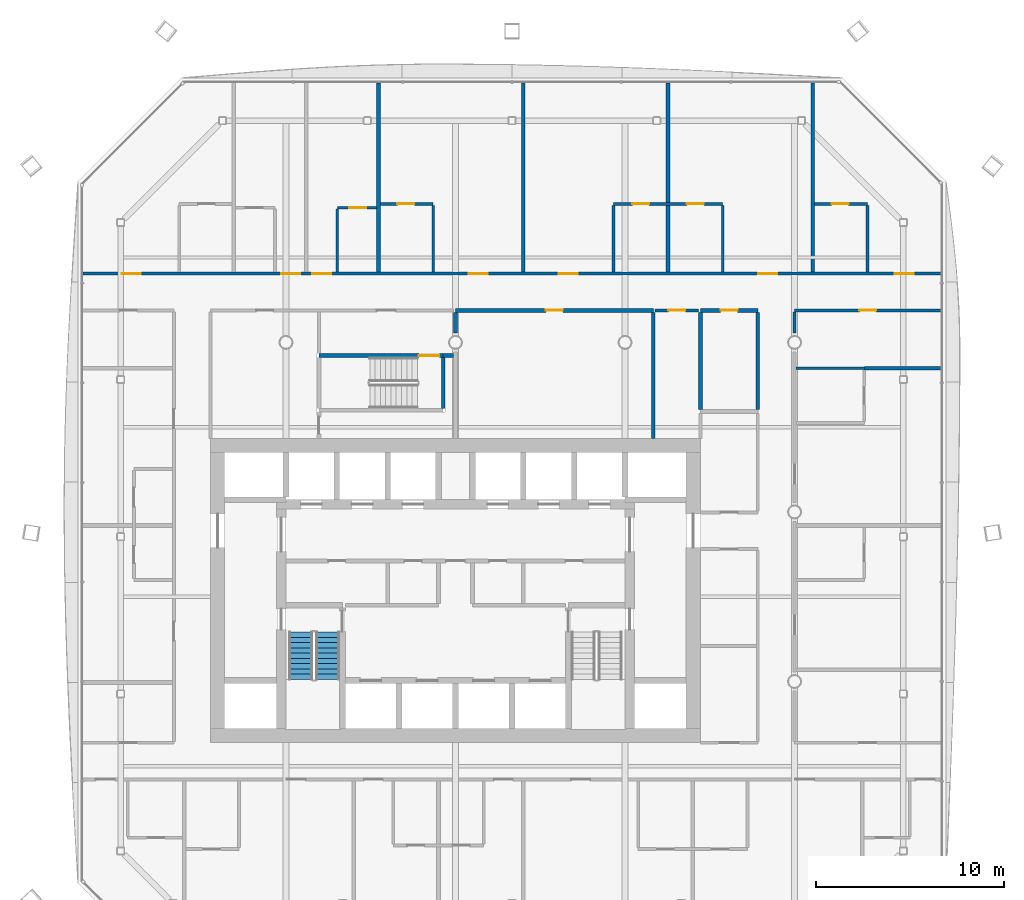
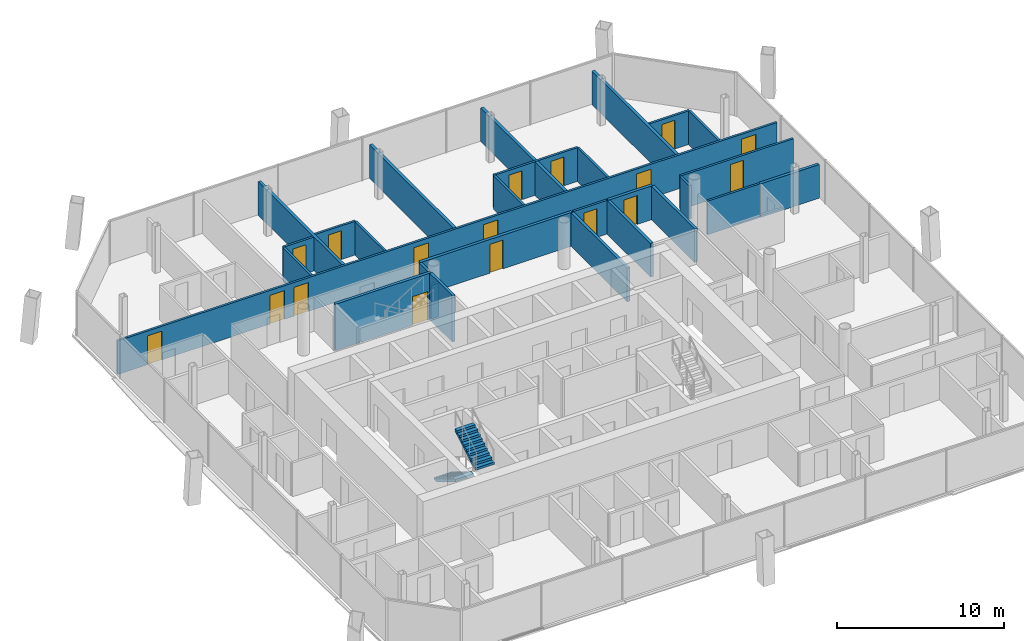
# One storey, part 15 of 21: 28 walls, 17 doors, 2 stair flights, 17 openings, 1 element without a shape of its own.
"""IFC4 building model written with IfcOpenShell, lengths in metres."""

from ifc_helpers import new_model, si_unit, direction, frame, frame_2d, origin, place, context, subcontext, project, spatial, polyline, rectangle, outline, extrude, material, layer, layer_set, type_object, element, fill, aggregate, save


model = new_model("IFC4")

# Units and contexts
model_context = context("Model", 3, precision=1e-05, world=origin(), true_north=direction((0.0, 1.0)))
body_context = subcontext(model_context, "Body", "Model", "MODEL_VIEW")
ifc_project = project(units=[si_unit("LENGTHUNIT", "METRE"), si_unit("AREAUNIT", "SQUARE_METRE"), si_unit("VOLUMEUNIT", "CUBIC_METRE"), si_unit("PLANEANGLEUNIT", "RADIAN"), si_unit("MASSUNIT", "GRAM", prefix="KILO")], contexts=[model_context])

# Site, building, storey
site_placement = place(None, origin())
site = spatial("IfcSite", under=ifc_project, at=site_placement, CompositionType="ELEMENT")
building_placement = place(site_placement, origin())
building = spatial("IfcBuilding", under=site, at=building_placement, Name="Tskaro Facet Tower", CompositionType="ELEMENT")
storey_placement = place(building_placement, frame((0.0, 0.0, 138.5)))
storey = spatial("IfcBuildingStorey", under=building, at=storey_placement, Name="L33", CompositionType="ELEMENT", Elevation=138.5)

# Wall
ifc_material_1 = material(Name="Gypsum board on steel studs", Category="steel")
ifc_layer_1 = layer(ifc_material_1, 0.14990234375, Name="Gypsum board on steel studs")
ifc_layer_set_1 = layer_set([ifc_layer_1], Name="Gypsum board on steel studs")
wall_type_1 = type_object("IfcWallType", Name="PART-CORR", PredefinedType="PARTITIONING", material=ifc_layer_set_1)
wall_1_placement = place(storey_placement, frame((18.074951171875, 7.6259765625, 0.0), z_axis=(0.0, 0.0, 1.0), x_axis=(1.0, 0.0, 0.0)))
element("IfcWall", 1, at=wall_1_placement, inside=storey, type_object=wall_type_1, Name="Corridor wall W034", PredefinedType="PARTITIONING", context=body_context, shape_type="SweptSolid", body=[
    extrude(rectangle(XDim=3.625, YDim=0.14990234375, at=frame_2d((1.8125, 0.0))), origin(), (0.0, 0.0, 1.0), 2.4599609375),
])

# Wall, opening, door
wall_2_placement = place(storey_placement, frame((12.89990234375, 10.699951171875, 0.0), z_axis=(0.0, 0.0, 1.0), x_axis=(-1.0, 0.0, 0.0)))
wall_2 = element("IfcWall", 2, at=wall_2_placement, inside=storey, type_object=wall_type_1, Name="Corridor wall W041", PredefinedType="PARTITIONING", context=body_context, shape_type="SweptSolid", body=[
    extrude(rectangle(XDim=2.2998046875, YDim=0.14990234375, at=frame_2d((1.14990234375, 0.0))), origin(), (0.0, 0.0, 1.0), 2.4599609375),
])
opening_1_placement = place(wall_2_placement, frame((0.699951171875, 0.0, 0.0)))
opening_1 = element("IfcOpeningElement", 3, at=opening_1_placement, cuts=wall_2, Name="Opening T9-D45", PredefinedType="OPENING", context=body_context, shape_type="SweptSolid", body=[
    extrude(rectangle(XDim=0.89990234375, YDim=2.10009765625, at=frame_2d((0.449951171875, 1.050048828125))), frame((0.0, 0.0849609375, 0.0), z_axis=(0.0, -1.0, 0.0), x_axis=(1.0, 0.0, 0.0)), (0.0, 0.0, 1.0), 0.169921875),
])
ifc_material_2 = material(Name="Timber", Category="wood")
door_type_1 = type_object("IfcDoorType", Name="D-ROOM", OperationType="NOTDEFINED", PredefinedType="DOOR", material=ifc_material_2)
door_1_placement = place(opening_1_placement, origin())
door_1 = element("IfcDoor", 4, at=door_1_placement, inside=storey, type_object=door_type_1, Name="Door T9-D45", OperationType="SINGLE_SWING_RIGHT", OverallHeight=2.10009765625, OverallWidth=0.89990234375, PredefinedType="DOOR", context=body_context, shape_type="SweptSolid", body=[
    extrude(rectangle(XDim=0.89990234375, YDim=2.10009765625, at=frame_2d((0.449951171875, 1.050048828125))), frame((0.0, 0.02490234375, 0.0), z_axis=(0.0, -1.0, 0.0), x_axis=(1.0, 0.0, 0.0)), (0.0, 0.0, 1.0), 0.050048828125),
])
fill(opening_1, door_1)

wall_3_placement = place(storey_placement, frame((25.77001953125, 10.699951171875, 0.0), z_axis=(0.0, 0.0, 1.0), x_axis=(-1.0, 0.0, 0.0)))
wall_3 = element("IfcWall", 5, at=wall_3_placement, inside=storey, type_object=wall_type_1, Name="Corridor wall W043", PredefinedType="PARTITIONING", context=body_context, shape_type="SweptSolid", body=[
    extrude(rectangle(XDim=7.77001953125, YDim=0.14990234375, at=frame_2d((3.885009765625, 0.0))), origin(), (0.0, 0.0, 1.0), 2.4599609375),
])
opening_2_placement = place(wall_3_placement, frame((3.43505859375, 0.0, 0.0)))
opening_2 = element("IfcOpeningElement", 6, at=opening_2_placement, cuts=wall_3, Name="Opening T9-D47", PredefinedType="OPENING", context=body_context, shape_type="SweptSolid", body=[
    extrude(rectangle(XDim=0.89990234375, YDim=2.10009765625, at=frame_2d((0.449951171875, 1.050048828125))), frame((0.0, 0.0849609375, 0.0), z_axis=(0.0, -1.0, 0.0), x_axis=(1.0, 0.0, 0.0)), (0.0, 0.0, 1.0), 0.169921875),
])
door_2_placement = place(opening_2_placement, origin())
door_2 = element("IfcDoor", 7, at=door_2_placement, inside=storey, type_object=door_type_1, Name="Door T9-D47", OperationType="SINGLE_SWING_RIGHT", OverallHeight=2.10009765625, OverallWidth=0.89990234375, PredefinedType="DOOR", context=body_context, shape_type="SweptSolid", body=[
    extrude(rectangle(XDim=0.89990234375, YDim=2.10009765625, at=frame_2d((0.449951171875, 1.050048828125))), frame((0.0, 0.02490234375, 0.0), z_axis=(0.0, -1.0, 0.0), x_axis=(1.0, 0.0, 0.0)), (0.0, 0.0, 1.0), 0.050048828125),
])
fill(opening_2, door_2)

# Wall, openings, doors
wall_4_placement = place(storey_placement, frame((-19.77001953125, 12.64990234375, 0.0), z_axis=(0.0, 0.0, 1.0), x_axis=(1.0, 0.0, 0.0)))
wall_4 = element("IfcWall", 8, at=wall_4_placement, inside=storey, type_object=wall_type_1, Name="Corridor wall W044", PredefinedType="PARTITIONING", context=body_context, shape_type="SweptSolid", body=[
    extrude(rectangle(XDim=45.5400390625, YDim=0.14990234375, at=frame_2d((22.77001953125, 0.0))), origin(), (0.0, 0.0, 1.0), 2.4599609375),
])
opening_3_placement = place(wall_4_placement, frame((2.051025390625, 0.0, 0.0)))
opening_3 = element("IfcOpeningElement", 9, at=opening_3_placement, cuts=wall_4, Name="Opening T9-D48", PredefinedType="OPENING", context=body_context, shape_type="SweptSolid", body=[
    extrude(rectangle(XDim=1.0, YDim=2.10009765625, at=frame_2d((0.5, 1.050048828125))), frame((0.0, 0.0849609375, 0.0), z_axis=(0.0, -1.0, 0.0), x_axis=(1.0, 0.0, 0.0)), (0.0, 0.0, 1.0), 0.169921875),
])
opening_4_placement = place(wall_4_placement, frame((10.51806640625, 0.0, 0.0)))
opening_4 = element("IfcOpeningElement", 10, at=opening_4_placement, cuts=wall_4, Name="Opening T9-D49", PredefinedType="OPENING", context=body_context, shape_type="SweptSolid", body=[
    extrude(rectangle(XDim=1.0, YDim=2.10009765625, at=frame_2d((0.5, 1.050048828125))), frame((0.0, 0.0849609375, 0.0), z_axis=(0.0, -1.0, 0.0), x_axis=(1.0, 0.0, 0.0)), (0.0, 0.0, 1.0), 0.169921875),
])
opening_5_placement = place(wall_4_placement, frame((12.169921875, 0.0, 0.0)))
opening_5 = element("IfcOpeningElement", 11, at=opening_5_placement, cuts=wall_4, Name="Opening T9-D50", PredefinedType="OPENING", context=body_context, shape_type="SweptSolid", body=[
    extrude(rectangle(XDim=1.0, YDim=2.10009765625, at=frame_2d((0.5, 1.050048828125))), frame((0.0, 0.0849609375, 0.0), z_axis=(0.0, -1.0, 0.0), x_axis=(1.0, 0.0, 0.0)), (0.0, 0.0, 1.0), 0.169921875),
])
opening_6_placement = place(wall_4_placement, frame((20.47802734375, 0.0, 0.0)))
opening_6 = element("IfcOpeningElement", 12, at=opening_6_placement, cuts=wall_4, Name="Opening T9-D51", PredefinedType="OPENING", context=body_context, shape_type="SweptSolid", body=[
    extrude(rectangle(XDim=1.0, YDim=2.10009765625, at=frame_2d((0.5, 1.050048828125))), frame((0.0, 0.0849609375, 0.0), z_axis=(0.0, -1.0, 0.0), x_axis=(1.0, 0.0, 0.0)), (0.0, 0.0, 1.0), 0.169921875),
])
opening_7_placement = place(wall_4_placement, frame((25.261962890625, 0.0, 0.0)))
opening_7 = element("IfcOpeningElement", 13, at=opening_7_placement, cuts=wall_4, Name="Opening T9-D52", PredefinedType="OPENING", context=body_context, shape_type="SweptSolid", body=[
    extrude(rectangle(XDim=1.0, YDim=2.10009765625, at=frame_2d((0.5, 1.050048828125))), frame((0.0, 0.0849609375, 0.0), z_axis=(0.0, -1.0, 0.0), x_axis=(1.0, 0.0, 0.0)), (0.0, 0.0, 1.0), 0.169921875),
])
opening_8_placement = place(wall_4_placement, frame((35.845947265625, 0.0, 0.0)))
opening_8 = element("IfcOpeningElement", 14, at=opening_8_placement, cuts=wall_4, Name="Opening T9-D53", PredefinedType="OPENING", context=body_context, shape_type="SweptSolid", body=[
    extrude(rectangle(XDim=1.0, YDim=2.10009765625, at=frame_2d((0.5, 1.050048828125))), frame((0.0, 0.0849609375, 0.0), z_axis=(0.0, -1.0, 0.0), x_axis=(1.0, 0.0, 0.0)), (0.0, 0.0, 1.0), 0.169921875),
])
opening_9_placement = place(wall_4_placement, frame((43.089111328125, 0.0, 0.0)))
opening_9 = element("IfcOpeningElement", 15, at=opening_9_placement, cuts=wall_4, Name="Opening T9-D54", PredefinedType="OPENING", context=body_context, shape_type="SweptSolid", body=[
    extrude(rectangle(XDim=1.0, YDim=2.10009765625, at=frame_2d((0.5, 1.050048828125))), frame((0.0, 0.0849609375, 0.0), z_axis=(0.0, -1.0, 0.0), x_axis=(1.0, 0.0, 0.0)), (0.0, 0.0, 1.0), 0.169921875),
])
door_type_2 = type_object("IfcDoorType", Name="D-ENTRY", OperationType="NOTDEFINED", PredefinedType="DOOR", material=ifc_material_2)
door_3_placement = place(opening_3_placement, origin())
door_3 = element("IfcDoor", 16, at=door_3_placement, inside=storey, type_object=door_type_2, Name="Door T9-D48", OperationType="SINGLE_SWING_RIGHT", OverallHeight=2.10009765625, OverallWidth=1.0, PredefinedType="DOOR", context=body_context, shape_type="SweptSolid", body=[
    extrude(rectangle(XDim=1.0, YDim=2.10009765625, at=frame_2d((0.5, 1.050048828125))), frame((0.0, 0.02490234375, 0.0), z_axis=(0.0, -1.0, 0.0), x_axis=(1.0, 0.0, 0.0)), (0.0, 0.0, 1.0), 0.050048828125),
])
fill(opening_3, door_3)
door_4_placement = place(opening_4_placement, origin())
door_4 = element("IfcDoor", 17, at=door_4_placement, inside=storey, type_object=door_type_2, Name="Door T9-D49", OperationType="SINGLE_SWING_LEFT", OverallHeight=2.10009765625, OverallWidth=1.0, PredefinedType="DOOR", context=body_context, shape_type="SweptSolid", body=[
    extrude(rectangle(XDim=1.0, YDim=2.10009765625, at=frame_2d((0.5, 1.050048828125))), frame((0.0, 0.02490234375, 0.0), z_axis=(0.0, -1.0, 0.0), x_axis=(1.0, 0.0, 0.0)), (0.0, 0.0, 1.0), 0.050048828125),
])
fill(opening_4, door_4)
door_5_placement = place(opening_5_placement, origin())
door_5 = element("IfcDoor", 18, at=door_5_placement, inside=storey, type_object=door_type_2, Name="Door T9-D50", OperationType="SINGLE_SWING_LEFT", OverallHeight=2.10009765625, OverallWidth=1.0, PredefinedType="DOOR", context=body_context, shape_type="SweptSolid", body=[
    extrude(rectangle(XDim=1.0, YDim=2.10009765625, at=frame_2d((0.5, 1.050048828125))), frame((0.0, 0.02490234375, 0.0), z_axis=(0.0, -1.0, 0.0), x_axis=(1.0, 0.0, 0.0)), (0.0, 0.0, 1.0), 0.050048828125),
])
fill(opening_5, door_5)
door_6_placement = place(opening_6_placement, origin())
door_6 = element("IfcDoor", 19, at=door_6_placement, inside=storey, type_object=door_type_2, Name="Door T9-D51", OperationType="SINGLE_SWING_RIGHT", OverallHeight=2.10009765625, OverallWidth=1.0, PredefinedType="DOOR", context=body_context, shape_type="SweptSolid", body=[
    extrude(rectangle(XDim=1.0, YDim=2.10009765625, at=frame_2d((0.5, 1.050048828125))), frame((0.0, 0.02490234375, 0.0), z_axis=(0.0, -1.0, 0.0), x_axis=(1.0, 0.0, 0.0)), (0.0, 0.0, 1.0), 0.050048828125),
])
fill(opening_6, door_6)
door_7_placement = place(opening_7_placement, origin())
door_7 = element("IfcDoor", 20, at=door_7_placement, inside=storey, type_object=door_type_2, Name="Door T9-D52", OperationType="SINGLE_SWING_RIGHT", OverallHeight=2.10009765625, OverallWidth=1.0, PredefinedType="DOOR", context=body_context, shape_type="SweptSolid", body=[
    extrude(rectangle(XDim=1.0, YDim=2.10009765625, at=frame_2d((0.5, 1.050048828125))), frame((0.0, 0.02490234375, 0.0), z_axis=(0.0, -1.0, 0.0), x_axis=(1.0, 0.0, 0.0)), (0.0, 0.0, 1.0), 0.050048828125),
])
fill(opening_7, door_7)
door_8_placement = place(opening_8_placement, origin())
door_8 = element("IfcDoor", 21, at=door_8_placement, inside=storey, type_object=door_type_2, Name="Door T9-D53", OperationType="SINGLE_SWING_LEFT", OverallHeight=2.10009765625, OverallWidth=1.0, PredefinedType="DOOR", context=body_context, shape_type="SweptSolid", body=[
    extrude(rectangle(XDim=1.0, YDim=2.10009765625, at=frame_2d((0.5, 1.050048828125))), frame((0.0, 0.02490234375, 0.0), z_axis=(0.0, -1.0, 0.0), x_axis=(1.0, 0.0, 0.0)), (0.0, 0.0, 1.0), 0.050048828125),
])
fill(opening_8, door_8)
door_9_placement = place(opening_9_placement, origin())
door_9 = element("IfcDoor", 22, at=door_9_placement, inside=storey, type_object=door_type_2, Name="Door T9-D54", OperationType="SINGLE_SWING_RIGHT", OverallHeight=2.10009765625, OverallWidth=1.0, PredefinedType="DOOR", context=body_context, shape_type="SweptSolid", body=[
    extrude(rectangle(XDim=1.0, YDim=2.10009765625, at=frame_2d((0.5, 1.050048828125))), frame((0.0, 0.02490234375, 0.0), z_axis=(0.0, -1.0, 0.0), x_axis=(1.0, 0.0, 0.0)), (0.0, 0.0, 1.0), 0.050048828125),
])
fill(opening_9, door_9)

# Wall, opening, door
wall_5_placement = place(storey_placement, frame((-4.18408203125, 16.14990234375, 0.0), z_axis=(0.0, 0.0, 1.0), x_axis=(-1.0, 0.0, 0.0)))
wall_5 = element("IfcWall", 23, at=wall_5_placement, inside=storey, type_object=wall_type_1, Name="Corridor wall W046", PredefinedType="PARTITIONING", context=body_context, shape_type="SweptSolid", body=[
    extrude(rectangle(XDim=2.08984375, YDim=0.14990234375, at=frame_2d((1.044921875, 0.0))), origin(), (0.0, 0.0, 1.0), 2.4599609375),
])
opening_10_placement = place(wall_5_placement, frame((0.544921875, 0.0, 0.0)))
opening_10 = element("IfcOpeningElement", 24, at=opening_10_placement, cuts=wall_5, Name="Opening T9-D56", PredefinedType="OPENING", context=body_context, shape_type="SweptSolid", body=[
    extrude(rectangle(XDim=0.89990234375, YDim=2.10009765625, at=frame_2d((0.449951171875, 1.050048828125))), frame((0.0, 0.0849609375, 0.0), z_axis=(0.0, -1.0, 0.0), x_axis=(1.0, 0.0, 0.0)), (0.0, 0.0, 1.0), 0.169921875),
])
door_10_placement = place(opening_10_placement, origin())
door_10 = element("IfcDoor", 25, at=door_10_placement, inside=storey, type_object=door_type_1, Name="Door T9-D56", OperationType="SINGLE_SWING_RIGHT", OverallHeight=2.10009765625, OverallWidth=0.89990234375, PredefinedType="DOOR", context=body_context, shape_type="SweptSolid", body=[
    extrude(rectangle(XDim=0.89990234375, YDim=2.10009765625, at=frame_2d((0.449951171875, 1.050048828125))), frame((0.0, 0.02490234375, 0.0), z_axis=(0.0, -1.0, 0.0), x_axis=(1.0, 0.0, 0.0)), (0.0, 0.0, 1.0), 0.050048828125),
])
fill(opening_10, door_10)

wall_6_placement = place(storey_placement, frame((-1.18408203125, 16.35009765625, 0.0), z_axis=(0.0, 0.0, 1.0), x_axis=(-1.0, 0.0, 0.0)))
wall_6 = element("IfcWall", 26, at=wall_6_placement, inside=storey, type_object=wall_type_1, Name="Corridor wall W048", PredefinedType="PARTITIONING", context=body_context, shape_type="SweptSolid", body=[
    extrude(rectangle(XDim=2.7998046875, YDim=0.14990234375, at=frame_2d((1.39990234375, 0.0))), origin(), (0.0, 0.0, 1.0), 2.4599609375),
])
opening_11_placement = place(wall_6_placement, frame((1.0, 0.0, 0.0)))
opening_11 = element("IfcOpeningElement", 27, at=opening_11_placement, cuts=wall_6, Name="Opening T9-D58", PredefinedType="OPENING", context=body_context, shape_type="SweptSolid", body=[
    extrude(rectangle(XDim=0.89990234375, YDim=2.10009765625, at=frame_2d((0.449951171875, 1.050048828125))), frame((0.0, 0.0849609375, 0.0), z_axis=(0.0, -1.0, 0.0), x_axis=(1.0, 0.0, 0.0)), (0.0, 0.0, 1.0), 0.169921875),
])
door_11_placement = place(opening_11_placement, origin())
door_11 = element("IfcDoor", 28, at=door_11_placement, inside=storey, type_object=door_type_1, Name="Door T9-D58", OperationType="SINGLE_SWING_RIGHT", OverallHeight=2.10009765625, OverallWidth=0.89990234375, PredefinedType="DOOR", context=body_context, shape_type="SweptSolid", body=[
    extrude(rectangle(XDim=0.89990234375, YDim=2.10009765625, at=frame_2d((0.449951171875, 1.050048828125))), frame((0.0, 0.02490234375, 0.0), z_axis=(0.0, -1.0, 0.0), x_axis=(1.0, 0.0, 0.0)), (0.0, 0.0, 1.0), 0.050048828125),
])
fill(opening_11, door_11)

# Wall, openings, doors
wall_7_placement = place(storey_placement, frame((14.18408203125, 16.35009765625, 0.0), z_axis=(0.0, 0.0, 1.0), x_axis=(-1.0, 0.0, 0.0)))
wall_7 = element("IfcWall", 29, at=wall_7_placement, inside=storey, type_object=wall_type_1, Name="Corridor wall W049", PredefinedType="PARTITIONING", context=body_context, shape_type="SweptSolid", body=[
    extrude(rectangle(XDim=5.800048828125, YDim=0.14990234375, at=frame_2d((2.89990234375, 0.0))), origin(), (0.0, 0.0, 1.0), 2.4599609375),
])
opening_12_placement = place(wall_7_placement, frame((3.89990234375, 0.0, 0.0)))
opening_12 = element("IfcOpeningElement", 30, at=opening_12_placement, cuts=wall_7, Name="Opening T9-D59", PredefinedType="OPENING", context=body_context, shape_type="SweptSolid", body=[
    extrude(rectangle(XDim=0.89990234375, YDim=2.10009765625, at=frame_2d((0.449951171875, 1.050048828125))), frame((0.0, 0.0849609375, 0.0), z_axis=(0.0, -1.0, 0.0), x_axis=(1.0, 0.0, 0.0)), (0.0, 0.0, 1.0), 0.169921875),
])
opening_13_placement = place(wall_7_placement, frame((1.0, 0.0, 0.0)))
opening_13 = element("IfcOpeningElement", 31, at=opening_13_placement, cuts=wall_7, Name="Opening T9-D60", PredefinedType="OPENING", context=body_context, shape_type="SweptSolid", body=[
    extrude(rectangle(XDim=0.89990234375, YDim=2.10009765625, at=frame_2d((0.449951171875, 1.050048828125))), frame((0.0, 0.0849609375, 0.0), z_axis=(0.0, -1.0, 0.0), x_axis=(1.0, 0.0, 0.0)), (0.0, 0.0, 1.0), 0.169921875),
])
door_12_placement = place(opening_12_placement, origin())
door_12 = element("IfcDoor", 32, at=door_12_placement, inside=storey, type_object=door_type_1, Name="Door T9-D59", OperationType="SINGLE_SWING_RIGHT", OverallHeight=2.10009765625, OverallWidth=0.89990234375, PredefinedType="DOOR", context=body_context, shape_type="SweptSolid", body=[
    extrude(rectangle(XDim=0.89990234375, YDim=2.10009765625, at=frame_2d((0.449951171875, 1.050048828125))), frame((0.0, 0.02490234375, 0.0), z_axis=(0.0, -1.0, 0.0), x_axis=(1.0, 0.0, 0.0)), (0.0, 0.0, 1.0), 0.050048828125),
])
fill(opening_12, door_12)
door_13_placement = place(opening_13_placement, origin())
door_13 = element("IfcDoor", 33, at=door_13_placement, inside=storey, type_object=door_type_1, Name="Door T9-D60", OperationType="SINGLE_SWING_RIGHT", OverallHeight=2.10009765625, OverallWidth=0.89990234375, PredefinedType="DOOR", context=body_context, shape_type="SweptSolid", body=[
    extrude(rectangle(XDim=0.89990234375, YDim=2.10009765625, at=frame_2d((0.449951171875, 1.050048828125))), frame((0.0, 0.02490234375, 0.0), z_axis=(0.0, -1.0, 0.0), x_axis=(1.0, 0.0, 0.0)), (0.0, 0.0, 1.0), 0.050048828125),
])
fill(opening_13, door_13)

# Wall, opening, door
wall_8_placement = place(storey_placement, frame((21.867919921875, 16.35009765625, 0.0), z_axis=(0.0, 0.0, 1.0), x_axis=(-1.0, 0.0, 0.0)))
wall_8 = element("IfcWall", 34, at=wall_8_placement, inside=storey, type_object=wall_type_1, Name="Corridor wall W050", PredefinedType="PARTITIONING", context=body_context, shape_type="SweptSolid", body=[
    extrude(rectangle(XDim=2.7998046875, YDim=0.14990234375, at=frame_2d((1.39990234375, 0.0))), origin(), (0.0, 0.0, 1.0), 2.4599609375),
])
opening_14_placement = place(wall_8_placement, frame((1.0, 0.0, 0.0)))
opening_14 = element("IfcOpeningElement", 35, at=opening_14_placement, cuts=wall_8, Name="Opening T9-D61", PredefinedType="OPENING", context=body_context, shape_type="SweptSolid", body=[
    extrude(rectangle(XDim=0.89990234375, YDim=2.10009765625, at=frame_2d((0.449951171875, 1.050048828125))), frame((0.0, 0.0849609375, 0.0), z_axis=(0.0, -1.0, 0.0), x_axis=(1.0, 0.0, 0.0)), (0.0, 0.0, 1.0), 0.169921875),
])
door_14_placement = place(opening_14_placement, origin())
door_14 = element("IfcDoor", 36, at=door_14_placement, inside=storey, type_object=door_type_1, Name="Door T9-D61", OperationType="SINGLE_SWING_RIGHT", OverallHeight=2.10009765625, OverallWidth=0.89990234375, PredefinedType="DOOR", context=body_context, shape_type="SweptSolid", body=[
    extrude(rectangle(XDim=0.89990234375, YDim=2.10009765625, at=frame_2d((0.449951171875, 1.050048828125))), frame((0.0, 0.02490234375, 0.0), z_axis=(0.0, -1.0, 0.0), x_axis=(1.0, 0.0, 0.0)), (0.0, 0.0, 1.0), 0.050048828125),
])
fill(opening_14, door_14)

# Walls
wall_9_placement = place(storey_placement, frame((-6.27392578125, 12.72509765625, 0.0), z_axis=(0.0, 0.0, 1.0), x_axis=(0.0, 1.0, 0.0)))
element("IfcWall", 37, at=wall_9_placement, inside=storey, type_object=wall_type_1, Name="Corridor wall W066", PredefinedType="PARTITIONING", context=body_context, shape_type="SweptSolid", body=[
    extrude(rectangle(XDim=3.349853515625, YDim=0.14990234375, at=frame_2d((1.6748046875, 0.0))), origin(), (0.0, 0.0, 1.0), 2.4599609375),
])
for number, where, z_axis, x_axis, name in (
    (38, (-1.18408203125, 12.72509765625, 0.0), (0.0, 0.0, 1.0), (0.0, 1.0, 0.0), "Corridor wall W074"),
    (39, (8.384033203125, 12.72509765625, 0.0), (0.0, 0.0, 1.0), (0.0, 1.0, 0.0), "Corridor wall W092"),
    (40, (14.18408203125, 12.72509765625, 0.0), (0.0, 0.0, 1.0), (0.0, 1.0, 0.0), "Corridor wall W100"),
):
    element("IfcWall", number, at=place(storey_placement, frame(where, z_axis=z_axis, x_axis=x_axis)), inside=storey, type_object=wall_type_1, Name=name, PredefinedType="PARTITIONING", context=body_context, shape_type="SweptSolid", body=[
        extrude(rectangle(XDim=3.5498046875, YDim=0.14990234375, at=frame_2d((1.77490234375, 0.0))), origin(), (0.0, 0.0, 1.0), 2.4599609375),
    ])
wall_10_placement = place(storey_placement, frame((18.0, 9.5, 0.0), z_axis=(0.0, 0.0, 1.0), x_axis=(0.0, 1.0, 0.0)))
element("IfcWall", 41, at=wall_10_placement, inside=storey, type_object=wall_type_1, Name="Corridor wall W108", PredefinedType="PARTITIONING", context=body_context, shape_type="SweptSolid", body=[
    extrude(rectangle(XDim=1.125, YDim=0.14990234375, at=frame_2d((0.5625, 0.0))), origin(), (0.0, 0.0, 1.0), 2.4599609375),
])
wall_11_placement = place(storey_placement, frame((21.867919921875, 12.72509765625, 0.0), z_axis=(0.0, 0.0, 1.0), x_axis=(0.0, 1.0, 0.0)))
element("IfcWall", 42, at=wall_11_placement, inside=storey, type_object=wall_type_1, Name="Corridor wall W113", PredefinedType="PARTITIONING", context=body_context, shape_type="SweptSolid", body=[
    extrude(rectangle(XDim=3.5498046875, YDim=0.14990234375, at=frame_2d((1.77490234375, 0.0))), origin(), (0.0, 0.0, 1.0), 2.4599609375),
])
ifc_layer_2 = layer(ifc_material_1, 0.199951171875, Name="Gypsum board on steel studs")
ifc_layer_set_2 = layer_set([ifc_layer_2], Name="Gypsum board on steel studs")
wall_type_2 = type_object("IfcWallType", Name="PART-DEMISING", PredefinedType="PARTITIONING", material=ifc_layer_set_2)
wall_12_placement = place(storey_placement, frame((21.699951171875, 7.6259765625, 0.0), z_axis=(0.0, 0.0, 1.0), x_axis=(1.0, 0.0, 0.0)))
element("IfcWall", 43, at=wall_12_placement, inside=storey, type_object=wall_type_2, Name="Guest room wall W035", PredefinedType="PARTITIONING", context=body_context, shape_type="SweptSolid", body=[
    extrude(rectangle(XDim=4.070068359375, YDim=0.199951171875, at=frame_2d((2.03515625, 0.0))), origin(), (0.0, 0.0, 1.0), 2.4599609375),
])
for number, where, z_axis, x_axis, name in (
    (44, (-4.083984375, 12.72509765625, 0.0), (0.0, 0.0, 1.0), (0.0, 1.0, 0.0), "Guest room wall W069"),
    (45, (3.60009765625, 12.72509765625, 0.0), (0.0, 0.0, 1.0), (0.0, 1.0, 0.0), "Guest room wall W089"),
    (46, (11.283935546875, 12.72509765625, 0.0), (0.0, 0.0, 1.0), (0.0, 1.0, 0.0), "Guest room wall W096"),
    (47, (18.968017578125, 12.72509765625, 0.0), (0.0, 0.0, 1.0), (0.0, 1.0, 0.0), "Guest room wall W109"),
):
    element("IfcWall", number, at=place(storey_placement, frame(where, z_axis=z_axis, x_axis=x_axis)), inside=storey, type_object=wall_type_2, Name=name, PredefinedType="PARTITIONING", context=body_context, shape_type="SweptSolid", body=[
        extrude(rectangle(XDim=10.044921875, YDim=0.199951171875, at=frame_2d((5.0224609375, 0.0))), origin(), (0.0, 0.0, 1.0), 2.4599609375),
    ])

# Wall, opening, door
ifc_material_3 = material(Name="Concrete C60/75", Category="concrete")
ifc_layer_3 = layer(ifc_material_3, 0.199951171875, Name="Concrete C60/75")
ifc_layer_set_3 = layer_set([ifc_layer_3], Name="Concrete C60/75")
wall_type_3 = type_object("IfcWallType", Name="STAIR-WALL", PredefinedType="SHEAR", material=ifc_layer_set_3)
wall_13_placement = place(storey_placement, frame((-0.64990234375, 8.300048828125, 0.0), z_axis=(0.0, 0.0, 1.0), x_axis=(-1.0, 0.0, 0.0)))
wall_13 = element("IfcWall", 48, at=wall_13_placement, inside=storey, type_object=wall_type_3, Name="Stair wall W036", PredefinedType="SHEAR", context=body_context, shape_type="SweptSolid", body=[
    extrude(rectangle(XDim=6.60009765625, YDim=0.199951171875, at=frame_2d((3.300048828125, 0.0))), origin(), (0.0, 0.0, 1.0), 3.39990234375),
])
opening_15_placement = place(wall_13_placement, frame((0.199951171875, 0.0, 0.0)))
opening_15 = element("IfcOpeningElement", 49, at=opening_15_placement, cuts=wall_13, Name="Opening ST-3-D1", PredefinedType="OPENING", context=body_context, shape_type="SweptSolid", body=[
    extrude(rectangle(XDim=1.10009765625, YDim=2.10009765625, at=frame_2d((0.550048828125, 1.050048828125))), frame((0.0, 0.10986328125, 0.0), z_axis=(0.0, -1.0, 0.0), x_axis=(1.0, 0.0, 0.0)), (0.0, 0.0, 1.0), 0.219970703125),
])
ifc_material_4 = material(Name="Steel", Category="steel")
door_type_3 = type_object("IfcDoorType", Name="D-STAIR", OperationType="NOTDEFINED", PredefinedType="DOOR", material=ifc_material_4)
door_15_placement = place(opening_15_placement, origin())
door_15 = element("IfcDoor", 50, at=door_15_placement, inside=storey, type_object=door_type_3, Name="Stair door 3", OperationType="SINGLE_SWING_RIGHT", OverallHeight=2.10009765625, OverallWidth=1.10009765625, PredefinedType="DOOR", context=body_context, shape_type="SweptSolid", body=[
    extrude(rectangle(XDim=1.10009765625, YDim=2.10009765625, at=frame_2d((0.550048828125, 1.050048828125))), frame((0.0, 0.02490234375, 0.0), z_axis=(0.0, -1.0, 0.0), x_axis=(1.0, 0.0, 0.0)), (0.0, 0.0, 1.0), 0.050048828125),
])
fill(opening_15, door_15)

# Walls
wall_14_placement = place(storey_placement, frame((-0.64990234375, 5.5, 0.0), z_axis=(0.0, 0.0, 1.0), x_axis=(0.0, 1.0, 0.0)))
element("IfcWall", 51, at=wall_14_placement, inside=storey, type_object=wall_type_3, Name="Stair wall W078", PredefinedType="SHEAR", context=body_context, shape_type="SweptSolid", body=[
    extrude(rectangle(XDim=2.699951171875, YDim=0.199951171875, at=frame_2d((1.35009765625, 0.0))), origin(), (0.0, 0.0, 1.0), 3.39990234375),
])
ifc_material_5 = material(Name="Concrete C20/25", Category="concrete")
ifc_layer_4 = layer(ifc_material_5, 0.199951171875, Name="Concrete C20/25")
ifc_layer_set_4 = layer_set([ifc_layer_4], Name="Concrete C20/25")
wall_type_4 = type_object("IfcWallType", Name="WALL-RISER", PredefinedType="SOLIDWALL", material=ifc_layer_set_4)
wall_15_placement = place(storey_placement, frame((-0.64990234375, 8.300048828125, 0.0), z_axis=(0.0, 0.0, 1.0), x_axis=(1.0, 0.0, 0.0)))
element("IfcWall", 52, at=wall_15_placement, inside=storey, type_object=wall_type_4, Name="Riser room wall W037", PredefinedType="SOLIDWALL", context=body_context, shape_type="SweptSolid", body=[
    extrude(rectangle(XDim=0.5498046875, YDim=0.199951171875, at=frame_2d((0.27490234375, 0.0))), origin(), (0.0, 0.0, 1.0), 2.4599609375),
])

# Wall, opening, door
wall_16_placement = place(storey_placement, frame((10.5, 10.699951171875, 0.0), z_axis=(0.0, 0.0, 1.0), x_axis=(-1.0, 0.0, 0.0)))
wall_16 = element("IfcWall", 53, at=wall_16_placement, inside=storey, type_object=wall_type_4, Name="Riser room wall W040", PredefinedType="SOLIDWALL", context=body_context, shape_type="SweptSolid", body=[
    extrude(rectangle(XDim=10.5, YDim=0.199951171875, at=frame_2d((5.25, 0.0))), origin(), (0.0, 0.0, 1.0), 2.4599609375),
])
opening_16_placement = place(wall_16_placement, frame((4.800048828125, 0.0, 0.0)))
opening_16 = element("IfcOpeningElement", 54, at=opening_16_placement, cuts=wall_16, Name="Opening T9-D44", PredefinedType="OPENING", context=body_context, shape_type="SweptSolid", body=[
    extrude(rectangle(XDim=0.89990234375, YDim=2.10009765625, at=frame_2d((0.449951171875, 1.050048828125))), frame((0.0, 0.10986328125, 0.0), z_axis=(0.0, -1.0, 0.0), x_axis=(1.0, 0.0, 0.0)), (0.0, 0.0, 1.0), 0.219970703125),
])
door_type_4 = type_object("IfcDoorType", Name="D-RISER", OperationType="NOTDEFINED", PredefinedType="DOOR", material=ifc_material_4)
door_16_placement = place(opening_16_placement, origin())
door_16 = element("IfcDoor", 55, at=door_16_placement, inside=storey, type_object=door_type_4, Name="Door T9-D44", OperationType="SINGLE_SWING_RIGHT", OverallHeight=2.10009765625, OverallWidth=0.89990234375, PredefinedType="DOOR", context=body_context, shape_type="SweptSolid", body=[
    extrude(rectangle(XDim=0.89990234375, YDim=2.10009765625, at=frame_2d((0.449951171875, 1.050048828125))), frame((0.0, 0.02490234375, 0.0), z_axis=(0.0, -1.0, 0.0), x_axis=(1.0, 0.0, 0.0)), (0.0, 0.0, 1.0), 0.050048828125),
])
fill(opening_16, door_16)

wall_17_placement = place(storey_placement, frame((16.050048828125, 10.699951171875, 0.0), z_axis=(0.0, 0.0, 1.0), x_axis=(-1.0, 0.0, 0.0)))
wall_17 = element("IfcWall", 56, at=wall_17_placement, inside=storey, type_object=wall_type_4, Name="Riser room wall W042", PredefinedType="SOLIDWALL", context=body_context, shape_type="SweptSolid", body=[
    extrude(rectangle(XDim=3.050048828125, YDim=0.199951171875, at=frame_2d((1.52490234375, 0.0))), origin(), (0.0, 0.0, 1.0), 2.4599609375),
])
opening_17_placement = place(wall_17_placement, frame((1.074951171875, 0.0, 0.0)))
opening_17 = element("IfcOpeningElement", 57, at=opening_17_placement, cuts=wall_17, Name="Opening T9-D46", PredefinedType="OPENING", context=body_context, shape_type="SweptSolid", body=[
    extrude(rectangle(XDim=0.89990234375, YDim=2.10009765625, at=frame_2d((0.449951171875, 1.050048828125))), frame((0.0, 0.10986328125, 0.0), z_axis=(0.0, -1.0, 0.0), x_axis=(1.0, 0.0, 0.0)), (0.0, 0.0, 1.0), 0.219970703125),
])
door_17_placement = place(opening_17_placement, origin())
door_17 = element("IfcDoor", 58, at=door_17_placement, inside=storey, type_object=door_type_4, Name="Door T9-D46", OperationType="SINGLE_SWING_RIGHT", OverallHeight=2.10009765625, OverallWidth=0.89990234375, PredefinedType="DOOR", context=body_context, shape_type="SweptSolid", body=[
    extrude(rectangle(XDim=0.89990234375, YDim=2.10009765625, at=frame_2d((0.449951171875, 1.050048828125))), frame((0.0, 0.02490234375, 0.0), z_axis=(0.0, -1.0, 0.0), x_axis=(1.0, 0.0, 0.0)), (0.0, 0.0, 1.0), 0.050048828125),
])
fill(opening_17, door_17)

# Walls
wall_18_placement = place(storey_placement, frame((0.0, 9.5, 0.0), z_axis=(0.0, 0.0, 1.0), x_axis=(0.0, 1.0, 0.0)))
element("IfcWall", 59, at=wall_18_placement, inside=storey, type_object=wall_type_4, Name="Riser room wall W081", PredefinedType="SOLIDWALL", context=body_context, shape_type="SweptSolid", body=[
    extrude(rectangle(XDim=1.10009765625, YDim=0.199951171875, at=frame_2d((0.550048828125, 0.0))), origin(), (0.0, 0.0, 1.0), 2.4599609375),
])
wall_19_placement = place(storey_placement, frame((10.5, 3.89990234375, 0.0), z_axis=(0.0, 0.0, 1.0), x_axis=(0.0, 1.0, 0.0)))
element("IfcWall", 60, at=wall_19_placement, inside=storey, type_object=wall_type_4, Name="Riser room wall W095", PredefinedType="SOLIDWALL", context=body_context, shape_type="SweptSolid", body=[
    extrude(rectangle(XDim=6.7001953125, YDim=0.199951171875, at=frame_2d((3.35009765625, 0.0))), origin(), (0.0, 0.0, 1.0), 2.4599609375),
])
for number, where, z_axis, x_axis, name in (
    (61, (13.0, 5.43701171875, 0.0), (0.0, 0.0, 1.0), (0.0, 1.0, 0.0), "Riser room wall W099"),
    (62, (16.050048828125, 5.43701171875, 0.0), (0.0, 0.0, 1.0), (0.0, 1.0, 0.0), "Riser room wall W104"),
):
    element("IfcWall", number, at=place(storey_placement, frame(where, z_axis=z_axis, x_axis=x_axis)), inside=storey, type_object=wall_type_4, Name=name, PredefinedType="SOLIDWALL", context=body_context, shape_type="SweptSolid", body=[
        extrude(rectangle(XDim=5.1630859375, YDim=0.199951171875, at=frame_2d((2.58154296875, 0.0))), origin(), (0.0, 0.0, 1.0), 2.4599609375),
    ])

# Stair, stair flights
ifc_material_6 = material(Name="Concrete C40/50", Category="concrete")
stair_type = type_object("IfcStairType", Name="ST-TWR", PredefinedType="HALF_TURN_STAIR", material=ifc_material_6)
stair_placement = place(storey_placement, origin())
stair = element("IfcStair", 63, at=stair_placement, inside=storey, type_object=stair_type, Name="L33 Exit stair 1", PredefinedType="HALF_TURN_STAIR")
stair_flight_type = type_object("IfcStairFlightType", Name="SFL-RC", PredefinedType="STRAIGHT", material=ifc_material_6)
stair_flight_1_placement = place(storey_placement, frame((-8.21240234375, -6.375, 0.0), z_axis=(0.0, 0.0, 1.0), x_axis=(0.0, -1.0, 0.0)))
stair_flight_1 = element("IfcStairFlight", 64, at=stair_flight_1_placement, type_object=stair_flight_type, Name="ST-1 flight 1", NumberOfRisers=10, NumberOfTreads=9, PredefinedType="STRAIGHT", RiserHeight=0.17, TreadLength=0.28, context=body_context, shape_type="SweptSolid", body=[
    extrude(outline(polyline([(0.0, 0.0), (0.0, 0.169921875), (0.280029296875, 0.169921875), (0.280029296875, 0.340087890625), (0.56005859375, 0.340087890625), (0.56005859375, 0.510009765625), (0.840087890625, 0.510009765625), (0.840087890625, 0.679931640625), (1.1201171875, 0.679931640625), (1.1201171875, 0.85009765625), (1.39990234375, 0.85009765625), (1.39990234375, 1.02001953125), (1.679931640625, 1.02001953125), (1.679931640625, 1.18994140625), (1.9599609375, 1.18994140625), (1.9599609375, 1.360107421875), (2.239990234375, 1.360107421875), (2.239990234375, 1.530029296875), (2.52001953125, 1.530029296875), (2.52001953125, 1.699951171875), (2.52001953125, 1.354736328125), (0.288818359375, 0.0), (0.0, 0.0)])), frame((0.0, 0.637451171875, 0.0), z_axis=(0.0, -1.0, 0.0), x_axis=(1.0, 0.0, 0.0)), (0.0, 0.0, 1.0), 1.27490234375),
])
stair_flight_2_placement = place(storey_placement, frame((-6.78759765625, -8.89501953125, 1.699951171875), z_axis=(0.0, 0.0, 1.0), x_axis=(0.0, 1.0, 0.0)))
stair_flight_2 = element("IfcStairFlight", 65, at=stair_flight_2_placement, type_object=stair_flight_type, Name="ST-1 flight 2", NumberOfRisers=10, NumberOfTreads=9, PredefinedType="STRAIGHT", RiserHeight=0.17, TreadLength=0.28, context=body_context, shape_type="SweptSolid", body=[
    extrude(outline(polyline([(0.0, 0.0), (0.0, 0.169921875), (0.280029296875, 0.169921875), (0.280029296875, 0.340087890625), (0.56005859375, 0.340087890625), (0.56005859375, 0.510009765625), (0.840087890625, 0.510009765625), (0.840087890625, 0.679931640625), (1.1201171875, 0.679931640625), (1.1201171875, 0.85009765625), (1.39990234375, 0.85009765625), (1.39990234375, 1.02001953125), (1.679931640625, 1.02001953125), (1.679931640625, 1.18994140625), (1.9599609375, 1.18994140625), (1.9599609375, 1.360107421875), (2.239990234375, 1.360107421875), (2.239990234375, 1.530029296875), (2.52001953125, 1.530029296875), (2.52001953125, 1.699951171875), (2.52001953125, 1.354736328125), (0.288818359375, 0.0), (0.0, 0.0)])), frame((0.0, 0.637451171875, 0.0), z_axis=(0.0, -1.0, 0.0), x_axis=(1.0, 0.0, 0.0)), (0.0, 0.0, 1.0), 1.27490234375),
])
aggregate(stair, [stair_flight_1, stair_flight_2])

save(model, "model.ifc")
